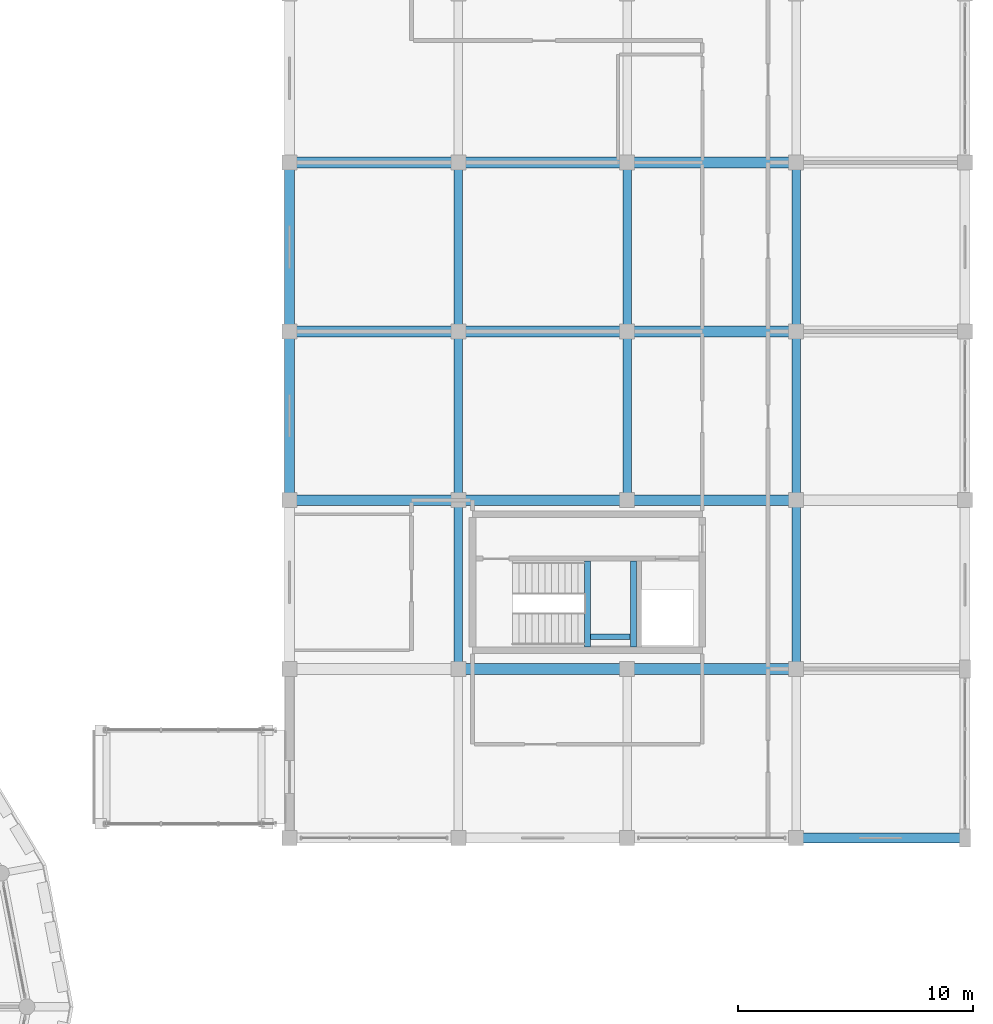
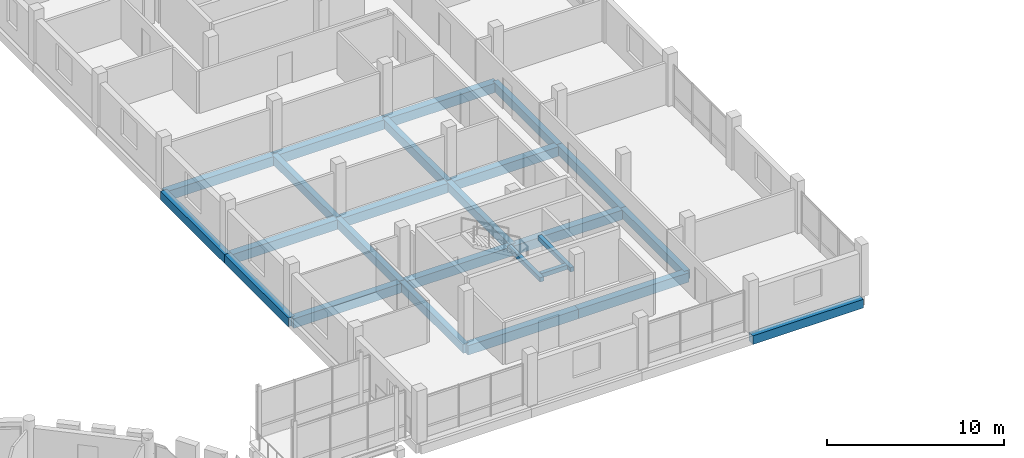
# One storey, part 88 of 128: 25 beams.
"""IFC4 building model written with IfcOpenShell, lengths in metres."""

from ifc_helpers import new_model, si_unit, direction, frame, origin, origin_2d, place, context, subcontext, project, spatial, rectangle, extrude, material, material_profile, profile_set, type_object, element, save


model = new_model("IFC4")

# Units and contexts
model_context = context("Model", 3, precision=1e-05, world=origin(), true_north=direction((0.0, 1.0)))
body_context = subcontext(model_context, "Body", "Model", "MODEL_VIEW")
ifc_project = project(units=[si_unit("LENGTHUNIT", "METRE"), si_unit("AREAUNIT", "SQUARE_METRE"), si_unit("VOLUMEUNIT", "CUBIC_METRE"), si_unit("PLANEANGLEUNIT", "RADIAN"), si_unit("MASSUNIT", "GRAM", prefix="KILO")], contexts=[model_context])

# Site, building, storey
site_placement = place(None, origin())
site = spatial("IfcSite", under=ifc_project, at=site_placement, CompositionType="ELEMENT")
building_placement = place(site_placement, origin())
building = spatial("IfcBuilding", under=site, at=building_placement, Name="Zornivar Specialist Clinic", CompositionType="ELEMENT")
storey_placement = place(building_placement, frame((0.0, 0.0, 4.5)))
storey = spatial("IfcBuildingStorey", under=building, at=storey_placement, Name="L01", CompositionType="ELEMENT", Elevation=4.5)

# Beams
ifc_material_1 = material(Name="Concrete C30/37", Category="concrete")
ifc_material_profile_1 = material_profile(ifc_material_1, rectangle(XDim=0.25, YDim=0.300048828125, at=origin_2d()), Name="RC 250x300")
ifc_profile_set_1 = profile_set([ifc_material_profile_1], Name="Concrete C30/37")
beam_type_1 = type_object("IfcBeamType", Name="BM-LAND-250x300", PredefinedType="BEAM", material=ifc_profile_set_1)
for number, where, z_axis, x_axis, name in (
    (1, (149.5, 72.93994140625, 1.6201171875), (0.0, 1.0, 0.0), (-1.0, 0.0, 0.0), "bm:stair:C9:L01:lW"),
    (2, (151.4599609375, 72.93994140625, 1.6201171875), (0.0, 1.0, 0.0), (-1.0, 0.0, 0.0), "bm:stair:C9:L01:lE"),
):
    element("IfcBeam", number, at=place(storey_placement, frame(where, z_axis=z_axis, x_axis=x_axis)), inside=storey, type_object=beam_type_1, Name=name, PredefinedType="BEAM", context=body_context, shape_type="SweptSolid", body=[
        extrude(rectangle(XDim=0.25, YDim=0.300048828125, at=origin_2d()), origin(), (0.0, 0.0, 1.0), 3.66015625),
    ])
beam_1_placement = place(storey_placement, frame((149.635009765625, 73.3798828125, 1.6201171875), z_axis=(1.0, 0.0, 0.0), x_axis=(0.0, 1.0, 0.0)))
element("IfcBeam", 3, at=beam_1_placement, inside=storey, type_object=beam_type_1, Name="bm:stair:C9:L01:lS", PredefinedType="BEAM", context=body_context, shape_type="SweptSolid", body=[
    extrude(rectangle(XDim=0.25, YDim=0.300048828125, at=origin_2d()), origin(), (0.0, 0.0, 1.0), 1.68994140625),
])
ifc_material_2 = material(Name="Concrete C30/37", Category="concrete")
ifc_material_profile_2 = material_profile(ifc_material_2, rectangle(XDim=0.360107421875, YDim=0.60009765625, at=origin_2d()), Name="RC 360x600")
ifc_profile_set_2 = profile_set([ifc_material_profile_2], Name="Concrete C30/37")
beam_type_2 = type_object("IfcBeamType", Name="BM-RC-360x600", PredefinedType="BEAM", material=ifc_profile_set_2)
for number, where, z_axis, x_axis, name in (
    (4, (144.0, 72.0, -0.6201171875), (0.0, 1.0, 0.0), (-1.0, 0.0, 0.0), "bm:V6:L01:y:1440:1"),
    (5, (144.0, 79.199951171875, -0.6201171875), (0.0, 1.0, 0.0), (-1.0, 0.0, 0.0), "bm:V6:L01:y:1440:2"),
):
    element("IfcBeam", number, at=place(storey_placement, frame(where, z_axis=z_axis, x_axis=x_axis)), inside=storey, type_object=beam_type_2, Name=name, PredefinedType="BEAM", context=body_context, shape_type="SweptSolid", body=[
        extrude(rectangle(XDim=0.360107421875, YDim=0.60009765625, at=origin_2d()), origin(), (0.0, 0.0, 1.0), 7.199951171875),
    ])
beam_2_placement = place(storey_placement, frame((144.0, 86.39990234375, -0.6201171875), z_axis=(0.0, 1.0, 0.0), x_axis=(-1.0, 0.0, 0.0)))
element("IfcBeam", 6, at=beam_2_placement, inside=storey, type_object=beam_type_2, Name="bm:V6:L01:y:1440:3", PredefinedType="BEAM", context=body_context, shape_type="SweptSolid", body=[
    extrude(rectangle(XDim=0.360107421875, YDim=0.60009765625, at=origin_2d()), origin(), (0.0, 0.0, 1.0), 7.2001953125),
])
beam_3_placement = place(storey_placement, frame((151.199951171875, 79.199951171875, -0.6201171875), z_axis=(0.0, 1.0, 0.0), x_axis=(-1.0, 0.0, 0.0)))
element("IfcBeam", 7, at=beam_3_placement, inside=storey, type_object=beam_type_2, Name="bm:V6:L01:y:1512:2", PredefinedType="BEAM", context=body_context, shape_type="SweptSolid", body=[
    extrude(rectangle(XDim=0.360107421875, YDim=0.60009765625, at=origin_2d()), origin(), (0.0, 0.0, 1.0), 7.199951171875),
])
beam_4_placement = place(storey_placement, frame((151.199951171875, 86.39990234375, -0.6201171875), z_axis=(0.0, 1.0, 0.0), x_axis=(-1.0, 0.0, 0.0)))
element("IfcBeam", 8, at=beam_4_placement, inside=storey, type_object=beam_type_2, Name="bm:V6:L01:y:1512:3", PredefinedType="BEAM", context=body_context, shape_type="SweptSolid", body=[
    extrude(rectangle(XDim=0.360107421875, YDim=0.60009765625, at=origin_2d()), origin(), (0.0, 0.0, 1.0), 7.2001953125),
])
for number, where, z_axis, x_axis, name in (
    (9, (158.39990234375, 72.0, -0.6201171875), (0.0, 1.0, 0.0), (-1.0, 0.0, 0.0), "bm:V6:L01:y:1584:1"),
    (10, (158.39990234375, 79.199951171875, -0.6201171875), (0.0, 1.0, 0.0), (-1.0, 0.0, 0.0), "bm:V6:L01:y:1584:2"),
):
    element("IfcBeam", number, at=place(storey_placement, frame(where, z_axis=z_axis, x_axis=x_axis)), inside=storey, type_object=beam_type_2, Name=name, PredefinedType="BEAM", context=body_context, shape_type="SweptSolid", body=[
        extrude(rectangle(XDim=0.360107421875, YDim=0.60009765625, at=origin_2d()), origin(), (0.0, 0.0, 1.0), 7.199951171875),
    ])
beam_5_placement = place(storey_placement, frame((158.39990234375, 86.39990234375, -0.6201171875), z_axis=(0.0, 1.0, 0.0), x_axis=(-1.0, 0.0, 0.0)))
element("IfcBeam", 11, at=beam_5_placement, inside=storey, type_object=beam_type_2, Name="bm:V6:L01:y:1584:3", PredefinedType="BEAM", context=body_context, shape_type="SweptSolid", body=[
    extrude(rectangle(XDim=0.360107421875, YDim=0.60009765625, at=origin_2d()), origin(), (0.0, 0.0, 1.0), 7.2001953125),
])
ifc_material_3 = material(Name="Concrete C30/37", Category="concrete")
ifc_material_profile_3 = material_profile(ifc_material_3, rectangle(XDim=0.4599609375, YDim=0.64990234375, at=origin_2d()), Name="RC 460x650")
ifc_profile_set_3 = profile_set([ifc_material_profile_3], Name="Concrete C30/37")
beam_type_3 = type_object("IfcBeamType", Name="BM-RC-460x650", PredefinedType="BEAM", material=ifc_profile_set_3)
for number, where, z_axis, x_axis, name in (
    (12, (144.0, 72.0, -0.64501953125), (1.0, 0.0, 0.0), (0.0, 1.0, 0.0), "bm:V6:L01:x:720:1"),
    (13, (151.199951171875, 72.0, -0.64501953125), (1.0, 0.0, 0.0), (0.0, 1.0, 0.0), "bm:V6:L01:x:720:2"),
    (14, (136.800048828125, 79.199951171875, -0.64501953125), (1.0, 0.0, 0.0), (0.0, 1.0, 0.0), "bm:V6:L01:x:792:0"),
    (15, (144.0, 79.199951171875, -0.64501953125), (1.0, 0.0, 0.0), (0.0, 1.0, 0.0), "bm:V6:L01:x:792:1"),
    (16, (151.199951171875, 79.199951171875, -0.64501953125), (1.0, 0.0, 0.0), (0.0, 1.0, 0.0), "bm:V6:L01:x:792:2"),
    (17, (136.800048828125, 86.39990234375, -0.64501953125), (1.0, 0.0, 0.0), (0.0, 1.0, 0.0), "bm:V6:L01:x:864:0"),
    (18, (144.0, 86.39990234375, -0.64501953125), (1.0, 0.0, 0.0), (0.0, 1.0, 0.0), "bm:V6:L01:x:864:1"),
    (19, (151.199951171875, 86.39990234375, -0.64501953125), (1.0, 0.0, 0.0), (0.0, 1.0, 0.0), "bm:V6:L01:x:864:2"),
    (20, (136.800048828125, 93.60009765625, -0.64501953125), (1.0, 0.0, 0.0), (0.0, 1.0, 0.0), "bm:V6:L01:x:936:0"),
    (21, (144.0, 93.60009765625, -0.64501953125), (1.0, 0.0, 0.0), (0.0, 1.0, 0.0), "bm:V6:L01:x:936:1"),
    (22, (151.199951171875, 93.60009765625, -0.64501953125), (1.0, 0.0, 0.0), (0.0, 1.0, 0.0), "bm:V6:L01:x:936:2"),
):
    element("IfcBeam", number, at=place(storey_placement, frame(where, z_axis=z_axis, x_axis=x_axis)), inside=storey, type_object=beam_type_3, Name=name, PredefinedType="BEAM", context=body_context, shape_type="SweptSolid", body=[
        extrude(rectangle(XDim=0.4599609375, YDim=0.64990234375, at=origin_2d()), origin(), (0.0, 0.0, 1.0), 7.199951171875),
    ])
ifc_material_4 = material(Name="Concrete C30/37", Category="concrete")
ifc_material_profile_4 = material_profile(ifc_material_4, rectangle(XDim=0.419921875, YDim=0.60009765625, at=origin_2d()), Name="RC 420x600")
ifc_profile_set_4 = profile_set([ifc_material_profile_4], Name="Concrete C30/37")
beam_type_4 = type_object("IfcBeamType", Name="BM-RC-SPANDREL-420x600", PredefinedType="SPANDREL", material=ifc_profile_set_4)
beam_6_placement = place(storey_placement, frame((158.39990234375, 64.800048828125, -0.6201171875), z_axis=(1.0, 0.0, 0.0), x_axis=(0.0, 1.0, 0.0)))
element("IfcBeam", 23, at=beam_6_placement, inside=storey, type_object=beam_type_4, Name="bm:V6:L01:x:648:3", PredefinedType="SPANDREL", context=body_context, shape_type="SweptSolid", body=[
    extrude(rectangle(XDim=0.419921875, YDim=0.60009765625, at=origin_2d()), origin(), (0.0, 0.0, 1.0), 7.2001953125),
])
beam_7_placement = place(storey_placement, frame((136.800048828125, 79.199951171875, -0.6201171875), z_axis=(0.0, 1.0, 0.0), x_axis=(-1.0, 0.0, 0.0)))
element("IfcBeam", 24, at=beam_7_placement, inside=storey, type_object=beam_type_4, Name="bm:V6:L01:y:1368:2", PredefinedType="SPANDREL", context=body_context, shape_type="SweptSolid", body=[
    extrude(rectangle(XDim=0.419921875, YDim=0.60009765625, at=origin_2d()), origin(), (0.0, 0.0, 1.0), 7.199951171875),
])
beam_8_placement = place(storey_placement, frame((136.800048828125, 86.39990234375, -0.6201171875), z_axis=(0.0, 1.0, 0.0), x_axis=(-1.0, 0.0, 0.0)))
element("IfcBeam", 25, at=beam_8_placement, inside=storey, type_object=beam_type_4, Name="bm:V6:L01:y:1368:3", PredefinedType="SPANDREL", context=body_context, shape_type="SweptSolid", body=[
    extrude(rectangle(XDim=0.419921875, YDim=0.60009765625, at=origin_2d()), origin(), (0.0, 0.0, 1.0), 7.2001953125),
])

save(model, "model.ifc")
